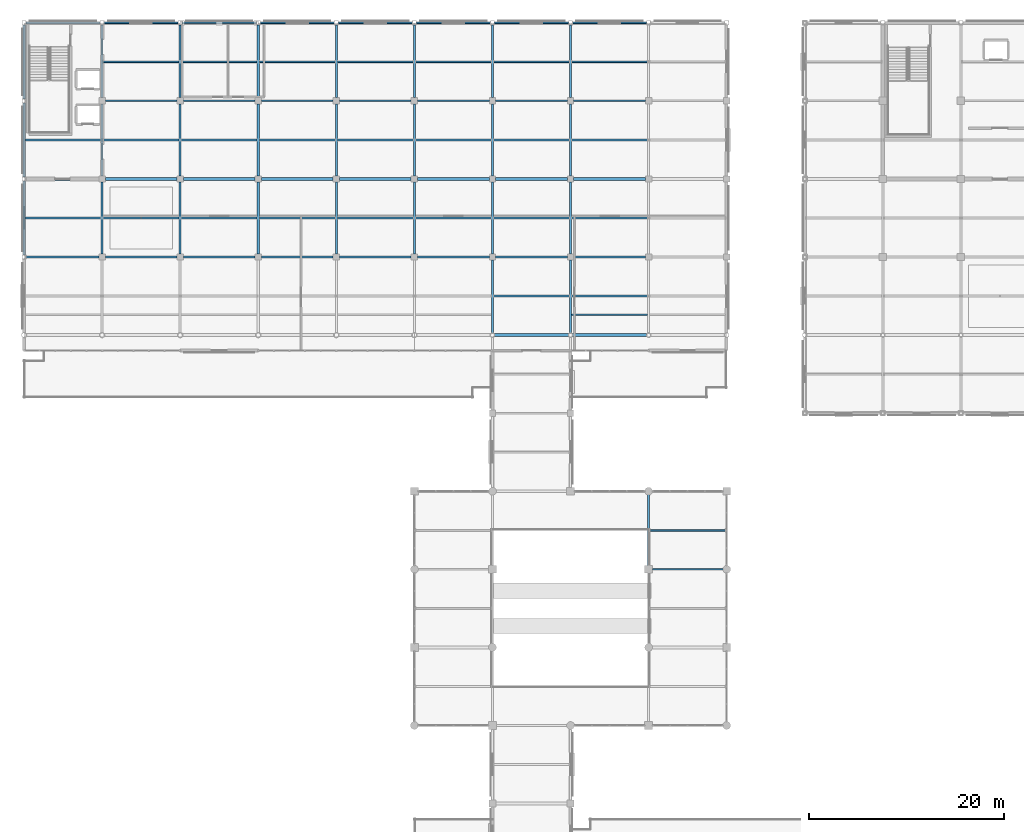
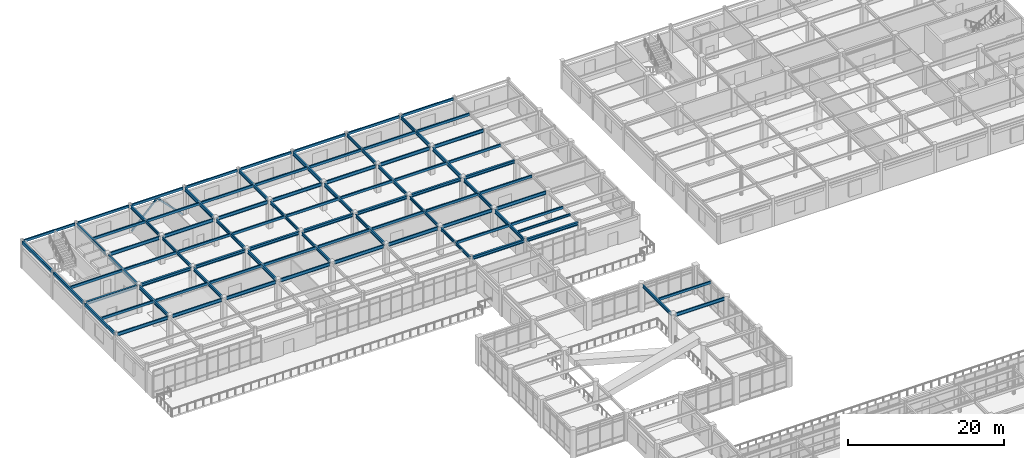
# One storey, part 46 of 93: 88 beams, 2 members.
"""IFC4 building model written with IfcOpenShell, lengths in metres."""

from ifc_helpers import new_model, si_unit, direction, frame, origin, origin_2d, place, context, subcontext, project, spatial, hollow_rectangle, i_section, extrude, material, material_profile, profile_set, type_object, element, save


model = new_model("IFC4")

# Units and contexts
model_context = context("Model", 3, precision=1e-05, world=origin(), true_north=direction((0.0, 1.0)))
body_context = subcontext(model_context, "Body", "Model", "MODEL_VIEW")
ifc_project = project(units=[si_unit("LENGTHUNIT", "METRE"), si_unit("AREAUNIT", "SQUARE_METRE"), si_unit("VOLUMEUNIT", "CUBIC_METRE"), si_unit("PLANEANGLEUNIT", "RADIAN"), si_unit("MASSUNIT", "GRAM", prefix="KILO")], contexts=[model_context])

# Site, building, storey
site_placement = place(None, origin())
site = spatial("IfcSite", under=ifc_project, at=site_placement, CompositionType="ELEMENT")
building_placement = place(site_placement, origin())
building = spatial("IfcBuilding", under=site, at=building_placement, Name="Solmirada Galleria", CompositionType="ELEMENT")
storey_placement = place(building_placement, frame((0.0, 0.0, 14.89990234375)))
storey = spatial("IfcBuildingStorey", under=building, at=storey_placement, Name="L03", CompositionType="ELEMENT", Elevation=14.89990234375)

# Beams
ifc_material_1 = material(Name="Steel S355 / ASTM A992 Grade 50", Category="steel")
ifc_material_profile_1 = material_profile(ifc_material_1, i_section(OverallWidth=0.281982421875, OverallDepth=0.467041015625, WebThickness=0.01220703125, FlangeThickness=0.01953125, FilletRadius=0.013916015625, at=origin_2d()), Name="W18X86")
ifc_profile_set_1 = profile_set([ifc_material_profile_1], Name="Steel S355 / ASTM A992 Grade 50")
beam_type_1 = type_object("IfcBeamType", Name="BM-GIRD-W18A", PredefinedType="BEAM", material=ifc_profile_set_1)
beam_1_placement = place(storey_placement, frame((40.202880859375, 104.0, 4.066650390625), z_axis=(1.0, 0.0, 0.0), x_axis=(0.0, 1.0, 0.0)))
element("IfcBeam", 1, at=beam_1_placement, inside=storey, type_object=beam_type_1, Name="Primary beam L04 X(40..48, 104)", PredefinedType="BEAM", context=body_context, shape_type="SweptSolid", body=[
    extrude(i_section(OverallWidth=0.281982421875, OverallDepth=0.467041015625, WebThickness=0.01220703125, FlangeThickness=0.01953125, FilletRadius=0.013916015625, at=origin_2d()), origin(), (0.0, 0.0, 1.0), 7.47216796875),
])
for number, where, z_axis, x_axis, name in (
    (2, (48.324951171875, 104.0, 4.066650390625), (1.0, 0.0, 0.0), (0.0, 1.0, 0.0), "Primary beam L04 X(48..56, 104)"),
    (3, (56.324951171875, 104.0, 4.066650390625), (1.0, 0.0, 0.0), (0.0, 1.0, 0.0), "Primary beam L04 X(56..64, 104)"),
    (4, (64.324951171875, 104.0, 4.066650390625), (1.0, 0.0, 0.0), (0.0, 1.0, 0.0), "Primary beam L04 X(64..72, 104)"),
    (5, (72.324951171875, 104.0, 4.066650390625), (1.0, 0.0, 0.0), (0.0, 1.0, 0.0), "Primary beam L04 X(72..80, 104)"),
    (6, (80.324951171875, 104.0, 4.066650390625), (1.0, 0.0, 0.0), (0.0, 1.0, 0.0), "Primary beam L04 X(80..88, 104)"),
):
    element("IfcBeam", number, at=place(storey_placement, frame(where, z_axis=z_axis, x_axis=x_axis)), inside=storey, type_object=beam_type_1, Name=name, PredefinedType="BEAM", context=body_context, shape_type="SweptSolid", body=[
        extrude(i_section(OverallWidth=0.281982421875, OverallDepth=0.467041015625, WebThickness=0.01220703125, FlangeThickness=0.01953125, FilletRadius=0.013916015625, at=origin_2d()), origin(), (0.0, 0.0, 1.0), 7.35009765625),
    ])
beam_2_placement = place(storey_placement, frame((88.19189453125, 88.0, 4.066650390625), z_axis=(1.0, 0.0, 0.0), x_axis=(0.0, 1.0, 0.0)))
element("IfcBeam", 7, at=beam_2_placement, inside=storey, type_object=beam_type_1, Name="Primary beam L04 X(88..96, 88)", PredefinedType="BEAM", context=body_context, shape_type="SweptSolid", body=[
    extrude(i_section(OverallWidth=0.281982421875, OverallDepth=0.467041015625, WebThickness=0.01220703125, FlangeThickness=0.01953125, FilletRadius=0.013916015625, at=origin_2d()), origin(), (0.0, 0.0, 1.0), 7.6162109375),
])
beam_3_placement = place(storey_placement, frame((88.324951171875, 104.0, 4.066650390625), z_axis=(1.0, 0.0, 0.0), x_axis=(0.0, 1.0, 0.0)))
element("IfcBeam", 8, at=beam_3_placement, inside=storey, type_object=beam_type_1, Name="Primary beam L04 X(88..96, 104)", PredefinedType="BEAM", context=body_context, shape_type="SweptSolid", body=[
    extrude(i_section(OverallWidth=0.281982421875, OverallDepth=0.467041015625, WebThickness=0.01220703125, FlangeThickness=0.01953125, FilletRadius=0.013916015625, at=origin_2d()), origin(), (0.0, 0.0, 1.0), 7.35009765625),
])
beam_4_placement = place(storey_placement, frame((96.19189453125, 88.0, 4.026611328125), z_axis=(1.0, 0.0, 0.0), x_axis=(0.0, 1.0, 0.0)))
element("IfcBeam", 9, at=beam_4_placement, inside=storey, type_object=beam_type_1, Name="Primary beam L04 X(96..104, 88)", PredefinedType="BEAM", context=body_context, shape_type="SweptSolid", body=[
    extrude(i_section(OverallWidth=0.281982421875, OverallDepth=0.467041015625, WebThickness=0.01220703125, FlangeThickness=0.01953125, FilletRadius=0.013916015625, at=origin_2d()), origin(), (0.0, 0.0, 1.0), 7.6162109375),
])
beam_5_placement = place(storey_placement, frame((96.324951171875, 104.0, 4.066650390625), z_axis=(1.0, 0.0, 0.0), x_axis=(0.0, 1.0, 0.0)))
element("IfcBeam", 10, at=beam_5_placement, inside=storey, type_object=beam_type_1, Name="Primary beam L04 X(96..104, 104)", PredefinedType="BEAM", context=body_context, shape_type="SweptSolid", body=[
    extrude(i_section(OverallWidth=0.281982421875, OverallDepth=0.467041015625, WebThickness=0.01220703125, FlangeThickness=0.01953125, FilletRadius=0.013916015625, at=origin_2d()), origin(), (0.0, 0.0, 1.0), 7.35009765625),
])
ifc_material_profile_2 = material_profile(ifc_material_1, i_section(OverallWidth=0.194091796875, OverallDepth=0.468994140625, WebThickness=0.0126953125, FlangeThickness=0.0205078125, FilletRadius=0.013916015625, at=origin_2d()), Name="W18X71")
ifc_profile_set_2 = profile_set([ifc_material_profile_2], Name="Steel S355 / ASTM A992 Grade 50")
beam_type_2 = type_object("IfcBeamType", Name="BM-GIRD-W18B", PredefinedType="BEAM", material=ifc_profile_set_2)
for number, where, z_axis, x_axis, name in (
    (11, (56.0, 96.324951171875, 4.065673828125), (0.0, 1.0, 0.0), (-1.0, 0.0, 0.0), "Primary girder L04 Y(56, 96..104)"),
    (12, (56.0, 104.324951171875, 4.065673828125), (0.0, 1.0, 0.0), (-1.0, 0.0, 0.0), "Primary girder L04 Y(56, 104..112)"),
):
    element("IfcBeam", number, at=place(storey_placement, frame(where, z_axis=z_axis, x_axis=x_axis)), inside=storey, type_object=beam_type_2, Name=name, PredefinedType="BEAM", context=body_context, shape_type="SweptSolid", body=[
        extrude(i_section(OverallWidth=0.194091796875, OverallDepth=0.468994140625, WebThickness=0.0126953125, FlangeThickness=0.0205078125, FilletRadius=0.013916015625, at=origin_2d()), origin(), (0.0, 0.0, 1.0), 7.35009765625),
    ])
beam_6_placement = place(storey_placement, frame((56.0, 112.324951171875, 4.065673828125), z_axis=(0.0, 1.0, 0.0), x_axis=(-1.0, 0.0, 0.0)))
element("IfcBeam", 13, at=beam_6_placement, inside=storey, type_object=beam_type_2, Name="Primary girder L04 Y(56, 112..120)", PredefinedType="BEAM", context=body_context, shape_type="SweptSolid", body=[
    extrude(i_section(OverallWidth=0.194091796875, OverallDepth=0.468994140625, WebThickness=0.0126953125, FlangeThickness=0.0205078125, FilletRadius=0.013916015625, at=origin_2d()), origin(), (0.0, 0.0, 1.0), 7.47216796875),
])
for number, where, z_axis, x_axis, name in (
    (14, (72.0, 96.324951171875, 4.065673828125), (0.0, 1.0, 0.0), (-1.0, 0.0, 0.0), "Primary girder L04 Y(72, 96..104)"),
    (15, (72.0, 104.324951171875, 4.065673828125), (0.0, 1.0, 0.0), (-1.0, 0.0, 0.0), "Primary girder L04 Y(72, 104..112)"),
):
    element("IfcBeam", number, at=place(storey_placement, frame(where, z_axis=z_axis, x_axis=x_axis)), inside=storey, type_object=beam_type_2, Name=name, PredefinedType="BEAM", context=body_context, shape_type="SweptSolid", body=[
        extrude(i_section(OverallWidth=0.194091796875, OverallDepth=0.468994140625, WebThickness=0.0126953125, FlangeThickness=0.0205078125, FilletRadius=0.013916015625, at=origin_2d()), origin(), (0.0, 0.0, 1.0), 7.35009765625),
    ])
beam_7_placement = place(storey_placement, frame((72.0, 112.324951171875, 4.065673828125), z_axis=(0.0, 1.0, 0.0), x_axis=(-1.0, 0.0, 0.0)))
element("IfcBeam", 16, at=beam_7_placement, inside=storey, type_object=beam_type_2, Name="Primary girder L04 Y(72, 112..120)", PredefinedType="BEAM", context=body_context, shape_type="SweptSolid", body=[
    extrude(i_section(OverallWidth=0.194091796875, OverallDepth=0.468994140625, WebThickness=0.0126953125, FlangeThickness=0.0205078125, FilletRadius=0.013916015625, at=origin_2d()), origin(), (0.0, 0.0, 1.0), 7.47216796875),
])
beam_8_placement = place(storey_placement, frame((88.0, 88.19189453125, 4.025634765625), z_axis=(0.0, 1.0, 0.0), x_axis=(-1.0, 0.0, 0.0)))
element("IfcBeam", 17, at=beam_8_placement, inside=storey, type_object=beam_type_2, Name="Primary girder L04 Y(88, 88..96)", PredefinedType="BEAM", context=body_context, shape_type="SweptSolid", body=[
    extrude(i_section(OverallWidth=0.194091796875, OverallDepth=0.468994140625, WebThickness=0.0126953125, FlangeThickness=0.0205078125, FilletRadius=0.013916015625, at=origin_2d()), origin(), (0.0, 0.0, 1.0), 7.483154296875),
])
for number, where, z_axis, x_axis, name in (
    (18, (88.0, 96.324951171875, 4.065673828125), (0.0, 1.0, 0.0), (-1.0, 0.0, 0.0), "Primary girder L04 Y(88, 96..104)"),
    (19, (88.0, 104.324951171875, 4.065673828125), (0.0, 1.0, 0.0), (-1.0, 0.0, 0.0), "Primary girder L04 Y(88, 104..112)"),
):
    element("IfcBeam", number, at=place(storey_placement, frame(where, z_axis=z_axis, x_axis=x_axis)), inside=storey, type_object=beam_type_2, Name=name, PredefinedType="BEAM", context=body_context, shape_type="SweptSolid", body=[
        extrude(i_section(OverallWidth=0.194091796875, OverallDepth=0.468994140625, WebThickness=0.0126953125, FlangeThickness=0.0205078125, FilletRadius=0.013916015625, at=origin_2d()), origin(), (0.0, 0.0, 1.0), 7.35009765625),
    ])
beam_9_placement = place(storey_placement, frame((88.0, 112.324951171875, 4.065673828125), z_axis=(0.0, 1.0, 0.0), x_axis=(-1.0, 0.0, 0.0)))
element("IfcBeam", 20, at=beam_9_placement, inside=storey, type_object=beam_type_2, Name="Primary girder L04 Y(88, 112..120)", PredefinedType="BEAM", context=body_context, shape_type="SweptSolid", body=[
    extrude(i_section(OverallWidth=0.194091796875, OverallDepth=0.468994140625, WebThickness=0.0126953125, FlangeThickness=0.0205078125, FilletRadius=0.013916015625, at=origin_2d()), origin(), (0.0, 0.0, 1.0), 7.47216796875),
])
beam_10_placement = place(storey_placement, frame((104.0, 64.39990234375, 4.065673828125), z_axis=(0.0, 1.0, 0.0), x_axis=(-1.0, 0.0, 0.0)))
element("IfcBeam", 21, at=beam_10_placement, inside=storey, type_object=beam_type_2, Name="Primary girder L04 Y(104, 64..72)", PredefinedType="BEAM", context=body_context, shape_type="SweptSolid", body=[
    extrude(i_section(OverallWidth=0.194091796875, OverallDepth=0.468994140625, WebThickness=0.0126953125, FlangeThickness=0.0205078125, FilletRadius=0.013916015625, at=origin_2d()), origin(), (0.0, 0.0, 1.0), 7.26416015625),
])
ifc_material_profile_3 = material_profile(ifc_material_1, i_section(OverallWidth=0.2099609375, OverallDepth=0.537109375, WebThickness=0.010986328125, FlangeThickness=0.017333984375, FilletRadius=0.014892578125, at=origin_2d()), Name="W21X68")
ifc_profile_set_3 = profile_set([ifc_material_profile_3], Name="Steel S355 / ASTM A992 Grade 50")
beam_type_3 = type_object("IfcBeamType", Name="BM-GIRD-W21B", PredefinedType="BEAM", material=ifc_profile_set_3)
for number, where, z_axis, x_axis, name in (
    (22, (48.0, 96.324951171875, 4.031494140625), (0.0, 1.0, 0.0), (-1.0, 0.0, 0.0), "Primary girder L04 Y(48, 96..104)"),
    (23, (48.0, 104.324951171875, 4.031494140625), (0.0, 1.0, 0.0), (-1.0, 0.0, 0.0), "Primary girder L04 Y(48, 104..112)"),
):
    element("IfcBeam", number, at=place(storey_placement, frame(where, z_axis=z_axis, x_axis=x_axis)), inside=storey, type_object=beam_type_3, Name=name, PredefinedType="BEAM", context=body_context, shape_type="SweptSolid", body=[
        extrude(i_section(OverallWidth=0.2099609375, OverallDepth=0.537109375, WebThickness=0.010986328125, FlangeThickness=0.017333984375, FilletRadius=0.014892578125, at=origin_2d()), origin(), (0.0, 0.0, 1.0), 7.35009765625),
    ])
beam_11_placement = place(storey_placement, frame((48.0, 112.324951171875, 4.031494140625), z_axis=(0.0, 1.0, 0.0), x_axis=(-1.0, 0.0, 0.0)))
element("IfcBeam", 24, at=beam_11_placement, inside=storey, type_object=beam_type_3, Name="Primary girder L04 Y(48, 112..120)", PredefinedType="BEAM", context=body_context, shape_type="SweptSolid", body=[
    extrude(i_section(OverallWidth=0.2099609375, OverallDepth=0.537109375, WebThickness=0.010986328125, FlangeThickness=0.017333984375, FilletRadius=0.014892578125, at=origin_2d()), origin(), (0.0, 0.0, 1.0), 7.47216796875),
])
for number, where, z_axis, x_axis, name in (
    (25, (64.0, 96.324951171875, 4.031494140625), (0.0, 1.0, 0.0), (-1.0, 0.0, 0.0), "Primary girder L04 Y(64, 96..104)"),
    (26, (64.0, 104.324951171875, 4.031494140625), (0.0, 1.0, 0.0), (-1.0, 0.0, 0.0), "Primary girder L04 Y(64, 104..112)"),
):
    element("IfcBeam", number, at=place(storey_placement, frame(where, z_axis=z_axis, x_axis=x_axis)), inside=storey, type_object=beam_type_3, Name=name, PredefinedType="BEAM", context=body_context, shape_type="SweptSolid", body=[
        extrude(i_section(OverallWidth=0.2099609375, OverallDepth=0.537109375, WebThickness=0.010986328125, FlangeThickness=0.017333984375, FilletRadius=0.014892578125, at=origin_2d()), origin(), (0.0, 0.0, 1.0), 7.35009765625),
    ])
beam_12_placement = place(storey_placement, frame((64.0, 112.324951171875, 4.031494140625), z_axis=(0.0, 1.0, 0.0), x_axis=(-1.0, 0.0, 0.0)))
element("IfcBeam", 27, at=beam_12_placement, inside=storey, type_object=beam_type_3, Name="Primary girder L04 Y(64, 112..120)", PredefinedType="BEAM", context=body_context, shape_type="SweptSolid", body=[
    extrude(i_section(OverallWidth=0.2099609375, OverallDepth=0.537109375, WebThickness=0.010986328125, FlangeThickness=0.017333984375, FilletRadius=0.014892578125, at=origin_2d()), origin(), (0.0, 0.0, 1.0), 7.47216796875),
])
for number, where, z_axis, x_axis, name in (
    (28, (80.0, 96.324951171875, 4.031494140625), (0.0, 1.0, 0.0), (-1.0, 0.0, 0.0), "Primary girder L04 Y(80, 96..104)"),
    (29, (80.0, 104.324951171875, 4.031494140625), (0.0, 1.0, 0.0), (-1.0, 0.0, 0.0), "Primary girder L04 Y(80, 104..112)"),
):
    element("IfcBeam", number, at=place(storey_placement, frame(where, z_axis=z_axis, x_axis=x_axis)), inside=storey, type_object=beam_type_3, Name=name, PredefinedType="BEAM", context=body_context, shape_type="SweptSolid", body=[
        extrude(i_section(OverallWidth=0.2099609375, OverallDepth=0.537109375, WebThickness=0.010986328125, FlangeThickness=0.017333984375, FilletRadius=0.014892578125, at=origin_2d()), origin(), (0.0, 0.0, 1.0), 7.35009765625),
    ])
beam_13_placement = place(storey_placement, frame((80.0, 112.324951171875, 4.031494140625), z_axis=(0.0, 1.0, 0.0), x_axis=(-1.0, 0.0, 0.0)))
element("IfcBeam", 30, at=beam_13_placement, inside=storey, type_object=beam_type_3, Name="Primary girder L04 Y(80, 112..120)", PredefinedType="BEAM", context=body_context, shape_type="SweptSolid", body=[
    extrude(i_section(OverallWidth=0.2099609375, OverallDepth=0.537109375, WebThickness=0.010986328125, FlangeThickness=0.017333984375, FilletRadius=0.014892578125, at=origin_2d()), origin(), (0.0, 0.0, 1.0), 7.47216796875),
])
beam_14_placement = place(storey_placement, frame((96.0, 88.19189453125, 3.99169921875), z_axis=(0.0, 1.0, 0.0), x_axis=(-1.0, 0.0, 0.0)))
element("IfcBeam", 31, at=beam_14_placement, inside=storey, type_object=beam_type_3, Name="Primary girder L04 Y(96, 88..96)", PredefinedType="BEAM", context=body_context, shape_type="SweptSolid", body=[
    extrude(i_section(OverallWidth=0.2099609375, OverallDepth=0.537109375, WebThickness=0.010986328125, FlangeThickness=0.017333984375, FilletRadius=0.014892578125, at=origin_2d()), origin(), (0.0, 0.0, 1.0), 7.483154296875),
])
for number, where, z_axis, x_axis, name in (
    (32, (96.0, 96.324951171875, 4.031494140625), (0.0, 1.0, 0.0), (-1.0, 0.0, 0.0), "Primary girder L04 Y(96, 96..104)"),
    (33, (96.0, 104.324951171875, 4.031494140625), (0.0, 1.0, 0.0), (-1.0, 0.0, 0.0), "Primary girder L04 Y(96, 104..112)"),
):
    element("IfcBeam", number, at=place(storey_placement, frame(where, z_axis=z_axis, x_axis=x_axis)), inside=storey, type_object=beam_type_3, Name=name, PredefinedType="BEAM", context=body_context, shape_type="SweptSolid", body=[
        extrude(i_section(OverallWidth=0.2099609375, OverallDepth=0.537109375, WebThickness=0.010986328125, FlangeThickness=0.017333984375, FilletRadius=0.014892578125, at=origin_2d()), origin(), (0.0, 0.0, 1.0), 7.35009765625),
    ])
beam_15_placement = place(storey_placement, frame((96.0, 112.324951171875, 4.031494140625), z_axis=(0.0, 1.0, 0.0), x_axis=(-1.0, 0.0, 0.0)))
element("IfcBeam", 34, at=beam_15_placement, inside=storey, type_object=beam_type_3, Name="Primary girder L04 Y(96, 112..120)", PredefinedType="BEAM", context=body_context, shape_type="SweptSolid", body=[
    extrude(i_section(OverallWidth=0.2099609375, OverallDepth=0.537109375, WebThickness=0.010986328125, FlangeThickness=0.017333984375, FilletRadius=0.014892578125, at=origin_2d()), origin(), (0.0, 0.0, 1.0), 7.47216796875),
])
ifc_material_profile_4 = material_profile(ifc_material_1, i_section(OverallWidth=0.1669921875, OverallDepth=0.534912109375, WebThickness=0.01025390625, FlangeThickness=0.0166015625, FilletRadius=0.013916015625, at=origin_2d()), Name="W21X57")
ifc_profile_set_4 = profile_set([ifc_material_profile_4], Name="Steel S355 / ASTM A992 Grade 50")
beam_type_4 = type_object("IfcBeamType", Name="BM-GIRD-W21C", PredefinedType="BEAM", material=ifc_profile_set_4)
beam_16_placement = place(storey_placement, frame((40.202880859375, 96.0, 4.03271484375), z_axis=(1.0, 0.0, 0.0), x_axis=(0.0, 1.0, 0.0)))
element("IfcBeam", 35, at=beam_16_placement, inside=storey, type_object=beam_type_4, Name="Primary beam L04 X(40..48, 96)", PredefinedType="BEAM", context=body_context, shape_type="SweptSolid", body=[
    extrude(i_section(OverallWidth=0.1669921875, OverallDepth=0.534912109375, WebThickness=0.01025390625, FlangeThickness=0.0166015625, FilletRadius=0.013916015625, at=origin_2d()), origin(), (0.0, 0.0, 1.0), 7.47216796875),
])
for number, where, z_axis, x_axis, name in (
    (36, (48.324951171875, 96.0, 4.03271484375), (1.0, 0.0, 0.0), (0.0, 1.0, 0.0), "Primary beam L04 X(48..56, 96)"),
    (37, (48.324951171875, 112.0, 4.03271484375), (1.0, 0.0, 0.0), (0.0, 1.0, 0.0), "Primary beam L04 X(48..56, 112)"),
    (38, (56.324951171875, 96.0, 4.03271484375), (1.0, 0.0, 0.0), (0.0, 1.0, 0.0), "Primary beam L04 X(56..64, 96)"),
    (39, (56.324951171875, 112.0, 4.03271484375), (1.0, 0.0, 0.0), (0.0, 1.0, 0.0), "Primary beam L04 X(56..64, 112)"),
    (40, (64.324951171875, 96.0, 4.03271484375), (1.0, 0.0, 0.0), (0.0, 1.0, 0.0), "Primary beam L04 X(64..72, 96)"),
    (41, (64.324951171875, 112.0, 4.03271484375), (1.0, 0.0, 0.0), (0.0, 1.0, 0.0), "Primary beam L04 X(64..72, 112)"),
    (42, (72.324951171875, 96.0, 4.03271484375), (1.0, 0.0, 0.0), (0.0, 1.0, 0.0), "Primary beam L04 X(72..80, 96)"),
    (43, (72.324951171875, 112.0, 4.03271484375), (1.0, 0.0, 0.0), (0.0, 1.0, 0.0), "Primary beam L04 X(72..80, 112)"),
    (44, (80.324951171875, 96.0, 4.03271484375), (1.0, 0.0, 0.0), (0.0, 1.0, 0.0), "Primary beam L04 X(80..88, 96)"),
    (45, (80.324951171875, 112.0, 4.03271484375), (1.0, 0.0, 0.0), (0.0, 1.0, 0.0), "Primary beam L04 X(80..88, 112)"),
    (46, (88.324951171875, 96.0, 4.03271484375), (1.0, 0.0, 0.0), (0.0, 1.0, 0.0), "Primary beam L04 X(88..96, 96)"),
    (47, (88.324951171875, 112.0, 4.03271484375), (1.0, 0.0, 0.0), (0.0, 1.0, 0.0), "Primary beam L04 X(88..96, 112)"),
    (48, (96.324951171875, 96.0, 4.03271484375), (1.0, 0.0, 0.0), (0.0, 1.0, 0.0), "Primary beam L04 X(96..104, 96)"),
    (49, (96.324951171875, 112.0, 4.03271484375), (1.0, 0.0, 0.0), (0.0, 1.0, 0.0), "Primary beam L04 X(96..104, 112)"),
):
    element("IfcBeam", number, at=place(storey_placement, frame(where, z_axis=z_axis, x_axis=x_axis)), inside=storey, type_object=beam_type_4, Name=name, PredefinedType="BEAM", context=body_context, shape_type="SweptSolid", body=[
        extrude(i_section(OverallWidth=0.1669921875, OverallDepth=0.534912109375, WebThickness=0.01025390625, FlangeThickness=0.0166015625, FilletRadius=0.013916015625, at=origin_2d()), origin(), (0.0, 0.0, 1.0), 7.35009765625),
    ])
beam_17_placement = place(storey_placement, frame((104.39990234375, 64.0, 4.03271484375), z_axis=(1.0, 0.0, 0.0), x_axis=(0.0, 1.0, 0.0)))
element("IfcBeam", 50, at=beam_17_placement, inside=storey, type_object=beam_type_4, Name="Primary beam L04 X(104..112, 64)", PredefinedType="BEAM", context=body_context, shape_type="SweptSolid", body=[
    extrude(i_section(OverallWidth=0.1669921875, OverallDepth=0.534912109375, WebThickness=0.01025390625, FlangeThickness=0.0166015625, FilletRadius=0.013916015625, at=origin_2d()), origin(), (0.0, 0.0, 1.0), 7.26416015625),
])
ifc_material_profile_5 = material_profile(ifc_material_1, i_section(OverallWidth=0.1708984375, OverallDepth=0.35205078125, WebThickness=0.0068359375, FlangeThickness=0.009765625, FilletRadius=0.010986328125, at=origin_2d()), Name="W14X30")
ifc_profile_set_5 = profile_set([ifc_material_profile_5], Name="Steel S355 / ASTM A992 Grade 50")
beam_type_5 = type_object("IfcBeamType", Name="BM-JST-W14B", PredefinedType="JOIST", material=ifc_profile_set_5)
beam_18_placement = place(storey_placement, frame((96.10498046875, 90.10009765625, 4.083984375), z_axis=(1.0, 0.0, 0.0), x_axis=(0.0, 1.0, 0.0)))
element("IfcBeam", 51, at=beam_18_placement, inside=storey, type_object=beam_type_5, Name="Terrace deck joist L04-TERR-NE X=96..104 (2)", PredefinedType="JOIST", context=body_context, shape_type="SweptSolid", body=[
    extrude(i_section(OverallWidth=0.1708984375, OverallDepth=0.35205078125, WebThickness=0.0068359375, FlangeThickness=0.009765625, FilletRadius=0.010986328125, at=origin_2d()), origin(), (0.0, 0.0, 1.0), 7.798095703125),
])
ifc_material_2 = material(Name="Steel S355 / ASTM A500 Grade C", Category="steel")
ifc_material_profile_6 = material_profile(ifc_material_2, hollow_rectangle(XDim=0.202880859375, YDim=0.406005859375, WallThickness=0.01171875, InnerFilletRadius=0.01171875, OuterFilletRadius=0.023681640625, at=origin_2d()), Name="HSS16X8X1/2")
ifc_profile_set_6 = profile_set([ifc_material_profile_6], Name="Steel S355 / ASTM A500 Grade C")
beam_type_6 = type_object("IfcBeamType", Name="BM-JST-W16B", PredefinedType="JOIST", material=ifc_profile_set_6)
for number, where, z_axis, x_axis, name in (
    (52, (40.126953125, 100.0, 4.09716796875), (1.0, 0.0, 0.0), (0.0, 1.0, 0.0), "Composite floor joist L04 (40..48, 100.0)"),
    (53, (40.126953125, 108.0, 4.09716796875), (1.0, 0.0, 0.0), (0.0, 1.0, 0.0), "Composite floor joist L04 (40..48, 108.0)"),
):
    element("IfcBeam", number, at=place(storey_placement, frame(where, z_axis=z_axis, x_axis=x_axis)), inside=storey, type_object=beam_type_6, Name=name, PredefinedType="JOIST", context=body_context, shape_type="SweptSolid", body=[
        extrude(hollow_rectangle(XDim=0.202880859375, YDim=0.406005859375, WallThickness=0.01171875, InnerFilletRadius=0.01171875, OuterFilletRadius=0.023681640625, at=origin_2d()), origin(), (0.0, 0.0, 1.0), 7.76806640625),
    ])
for number, where, z_axis, x_axis, name in (
    (54, (48.10498046875, 100.0, 4.09716796875), (1.0, 0.0, 0.0), (0.0, 1.0, 0.0), "Composite floor joist L04 (48..56, 100.0)"),
    (55, (48.10498046875, 108.0, 4.09716796875), (1.0, 0.0, 0.0), (0.0, 1.0, 0.0), "Composite floor joist L04 (48..56, 108.0)"),
    (56, (48.10498046875, 116.0, 4.09716796875), (1.0, 0.0, 0.0), (0.0, 1.0, 0.0), "Composite floor joist L04 (48..56, 116.0)"),
    (57, (56.096923828125, 100.0, 4.09716796875), (1.0, 0.0, 0.0), (0.0, 1.0, 0.0), "Composite floor joist L04 (56..64, 100.0)"),
    (58, (56.096923828125, 108.0, 4.09716796875), (1.0, 0.0, 0.0), (0.0, 1.0, 0.0), "Composite floor joist L04 (56..64, 108.0)"),
    (59, (56.096923828125, 116.0, 4.09716796875), (1.0, 0.0, 0.0), (0.0, 1.0, 0.0), "Composite floor joist L04 (56..64, 116.0)"),
    (60, (64.10498046875, 100.0, 4.09716796875), (1.0, 0.0, 0.0), (0.0, 1.0, 0.0), "Composite floor joist L04 (64..72, 100.0)"),
    (61, (64.10498046875, 108.0, 4.09716796875), (1.0, 0.0, 0.0), (0.0, 1.0, 0.0), "Composite floor joist L04 (64..72, 108.0)"),
    (62, (64.10498046875, 116.0, 4.09716796875), (1.0, 0.0, 0.0), (0.0, 1.0, 0.0), "Composite floor joist L04 (64..72, 116.0)"),
    (63, (72.096923828125, 100.0, 4.09716796875), (1.0, 0.0, 0.0), (0.0, 1.0, 0.0), "Composite floor joist L04 (72..80, 100.0)"),
    (64, (72.096923828125, 108.0, 4.09716796875), (1.0, 0.0, 0.0), (0.0, 1.0, 0.0), "Composite floor joist L04 (72..80, 108.0)"),
    (65, (72.096923828125, 116.0, 4.09716796875), (1.0, 0.0, 0.0), (0.0, 1.0, 0.0), "Composite floor joist L04 (72..80, 116.0)"),
    (66, (80.10498046875, 100.0, 4.09716796875), (1.0, 0.0, 0.0), (0.0, 1.0, 0.0), "Composite floor joist L04 (80..88, 100.0)"),
    (67, (80.10498046875, 108.0, 4.09716796875), (1.0, 0.0, 0.0), (0.0, 1.0, 0.0), "Composite floor joist L04 (80..88, 108.0)"),
    (68, (80.10498046875, 116.0, 4.09716796875), (1.0, 0.0, 0.0), (0.0, 1.0, 0.0), "Composite floor joist L04 (80..88, 116.0)"),
    (69, (88.096923828125, 92.0, 4.05712890625), (1.0, 0.0, 0.0), (0.0, 1.0, 0.0), "Composite floor joist L04 (88..96, 92.0)"),
    (70, (88.096923828125, 100.0, 4.09716796875), (1.0, 0.0, 0.0), (0.0, 1.0, 0.0), "Composite floor joist L04 (88..96, 100.0)"),
    (71, (88.096923828125, 108.0, 4.09716796875), (1.0, 0.0, 0.0), (0.0, 1.0, 0.0), "Composite floor joist L04 (88..96, 108.0)"),
    (72, (88.096923828125, 116.0, 4.09716796875), (1.0, 0.0, 0.0), (0.0, 1.0, 0.0), "Composite floor joist L04 (88..96, 116.0)"),
    (73, (96.10498046875, 92.0, 4.05712890625), (1.0, 0.0, 0.0), (0.0, 1.0, 0.0), "Composite floor joist L04 (96..104, 92.0)"),
    (74, (96.10498046875, 100.0, 4.09716796875), (1.0, 0.0, 0.0), (0.0, 1.0, 0.0), "Composite floor joist L04 (96..104, 100.0)"),
    (75, (96.10498046875, 108.0, 4.09716796875), (1.0, 0.0, 0.0), (0.0, 1.0, 0.0), "Composite floor joist L04 (96..104, 108.0)"),
    (76, (96.10498046875, 116.0, 4.09716796875), (1.0, 0.0, 0.0), (0.0, 1.0, 0.0), "Composite floor joist L04 (96..104, 116.0)"),
    (77, (104.096923828125, 68.0, 4.09716796875), (1.0, 0.0, 0.0), (0.0, 1.0, 0.0), "Composite floor joist L04 (104..112, 68.0)"),
):
    element("IfcBeam", number, at=place(storey_placement, frame(where, z_axis=z_axis, x_axis=x_axis)), inside=storey, type_object=beam_type_6, Name=name, PredefinedType="JOIST", context=body_context, shape_type="SweptSolid", body=[
        extrude(hollow_rectangle(XDim=0.202880859375, YDim=0.406005859375, WallThickness=0.01171875, InnerFilletRadius=0.01171875, OuterFilletRadius=0.023681640625, at=origin_2d()), origin(), (0.0, 0.0, 1.0), 7.798095703125),
    ])
ifc_material_profile_7 = material_profile(ifc_material_2, hollow_rectangle(XDim=0.202880859375, YDim=0.406005859375, WallThickness=0.01171875, InnerFilletRadius=0.01171875, OuterFilletRadius=0.023681640625, at=origin_2d()), Name="HSS16X8X1/2")
ifc_profile_set_7 = profile_set([ifc_material_profile_7], Name="Steel S355 / ASTM A500 Grade C")
beam_type_7 = type_object("IfcBeamType", Name="BM-SPAND-W16A", PredefinedType="SPANDREL", material=ifc_profile_set_7)
for number, where, z_axis, x_axis, name in (
    (78, (40.202880859375, 120.0, 4.09716796875), (1.0, 0.0, 0.0), (0.0, 1.0, 0.0), "Primary beam L04 X(40..48, 120)"),
    (79, (48.202880859375, 120.0, 4.09716796875), (1.0, 0.0, 0.0), (0.0, 1.0, 0.0), "Primary beam L04 X(48..56, 120)"),
    (80, (56.202880859375, 120.0, 4.09716796875), (1.0, 0.0, 0.0), (0.0, 1.0, 0.0), "Primary beam L04 X(56..64, 120)"),
    (81, (64.202880859375, 120.0, 4.09716796875), (1.0, 0.0, 0.0), (0.0, 1.0, 0.0), "Primary beam L04 X(64..72, 120)"),
    (82, (72.202880859375, 120.0, 4.09716796875), (1.0, 0.0, 0.0), (0.0, 1.0, 0.0), "Primary beam L04 X(72..80, 120)"),
    (83, (80.202880859375, 120.0, 4.09716796875), (1.0, 0.0, 0.0), (0.0, 1.0, 0.0), "Primary beam L04 X(80..88, 120)"),
    (84, (88.202880859375, 120.0, 4.09716796875), (1.0, 0.0, 0.0), (0.0, 1.0, 0.0), "Primary beam L04 X(88..96, 120)"),
    (85, (96.202880859375, 120.0, 4.09716796875), (1.0, 0.0, 0.0), (0.0, 1.0, 0.0), "Primary beam L04 X(96..104, 120)"),
):
    element("IfcBeam", number, at=place(storey_placement, frame(where, z_axis=z_axis, x_axis=x_axis)), inside=storey, type_object=beam_type_7, Name=name, PredefinedType="SPANDREL", context=body_context, shape_type="SweptSolid", body=[
        extrude(hollow_rectangle(XDim=0.202880859375, YDim=0.406005859375, WallThickness=0.01171875, InnerFilletRadius=0.01171875, OuterFilletRadius=0.023681640625, at=origin_2d()), origin(), (0.0, 0.0, 1.0), 7.59423828125),
    ])
ifc_material_profile_8 = material_profile(ifc_material_2, hollow_rectangle(XDim=0.25390625, YDim=0.45703125, WallThickness=0.01171875, InnerFilletRadius=0.01171875, OuterFilletRadius=0.023681640625, at=origin_2d()), Name="HSS18X10X1/2")
ifc_profile_set_8 = profile_set([ifc_material_profile_8], Name="Steel S355 / ASTM A500 Grade C")
beam_type_8 = type_object("IfcBeamType", Name="BM-SPAND-W18", PredefinedType="SPANDREL", material=ifc_profile_set_8)
for number, where, z_axis, x_axis, name in (
    (86, (40.0, 96.202880859375, 4.071533203125), (0.0, 1.0, 0.0), (-1.0, 0.0, 0.0), "Primary girder L04 Y(40, 96..104)"),
    (87, (40.0, 104.202880859375, 4.071533203125), (0.0, 1.0, 0.0), (-1.0, 0.0, 0.0), "Primary girder L04 Y(40, 104..112)"),
    (88, (40.0, 112.202880859375, 4.071533203125), (0.0, 1.0, 0.0), (-1.0, 0.0, 0.0), "Primary girder L04 Y(40, 112..120)"),
):
    element("IfcBeam", number, at=place(storey_placement, frame(where, z_axis=z_axis, x_axis=x_axis)), inside=storey, type_object=beam_type_8, Name=name, PredefinedType="SPANDREL", context=body_context, shape_type="SweptSolid", body=[
        extrude(hollow_rectangle(XDim=0.25390625, YDim=0.45703125, WallThickness=0.01171875, InnerFilletRadius=0.01171875, OuterFilletRadius=0.023681640625, at=origin_2d()), origin(), (0.0, 0.0, 1.0), 7.59423828125),
    ])

# Members
ifc_material_profile_9 = material_profile(ifc_material_2, hollow_rectangle(XDim=0.152099609375, YDim=0.25390625, WallThickness=0.0087890625, InnerFilletRadius=0.0087890625, OuterFilletRadius=0.017822265625, at=origin_2d()), Name="HSS10X6X3/8")
ifc_profile_set_9 = profile_set([ifc_material_profile_9], Name="Steel S355 / ASTM A500 Grade C")
member_type = type_object("IfcMemberType", Name="MEM-CBF-EXT", PredefinedType="BRACE", material=ifc_profile_set_9)
for number, where, z_axis, x_axis, name in (
    (89, (56.202880859375, 120.0, 0.02001953125), (0.701266400883, 0.0, 0.712899316168), (0.0, 1.0, 0.0), "Braced frame diagonal CBF-N1 L03 A"),
    (90, (63.797119140625, 120.0, 0.02001953125), (-0.701266400883, 0.0, 0.712899316168), (0.0, -1.0, 0.0), "Braced frame diagonal CBF-N1 L03 B"),
):
    element("IfcMember", number, at=place(storey_placement, frame(where, z_axis=z_axis, x_axis=x_axis)), inside=storey, type_object=member_type, Name=name, PredefinedType="BRACE", context=body_context, shape_type="SweptSolid", body=[
        extrude(hollow_rectangle(XDim=0.152099609375, YDim=0.25390625, WallThickness=0.0087890625, InnerFilletRadius=0.0087890625, OuterFilletRadius=0.017822265625, at=origin_2d()), origin(), (0.0, 0.0, 1.0), 5.41455078125),
    ])

save(model, "model.ifc")
